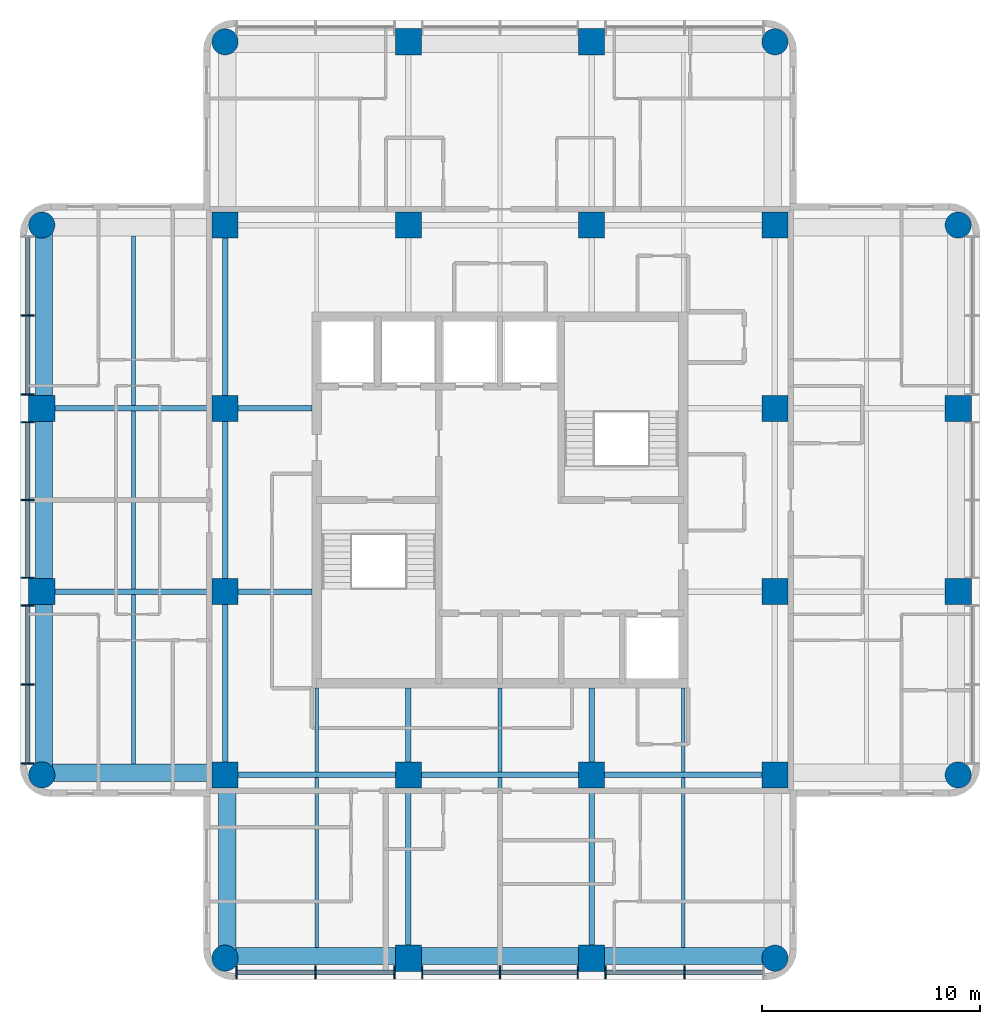
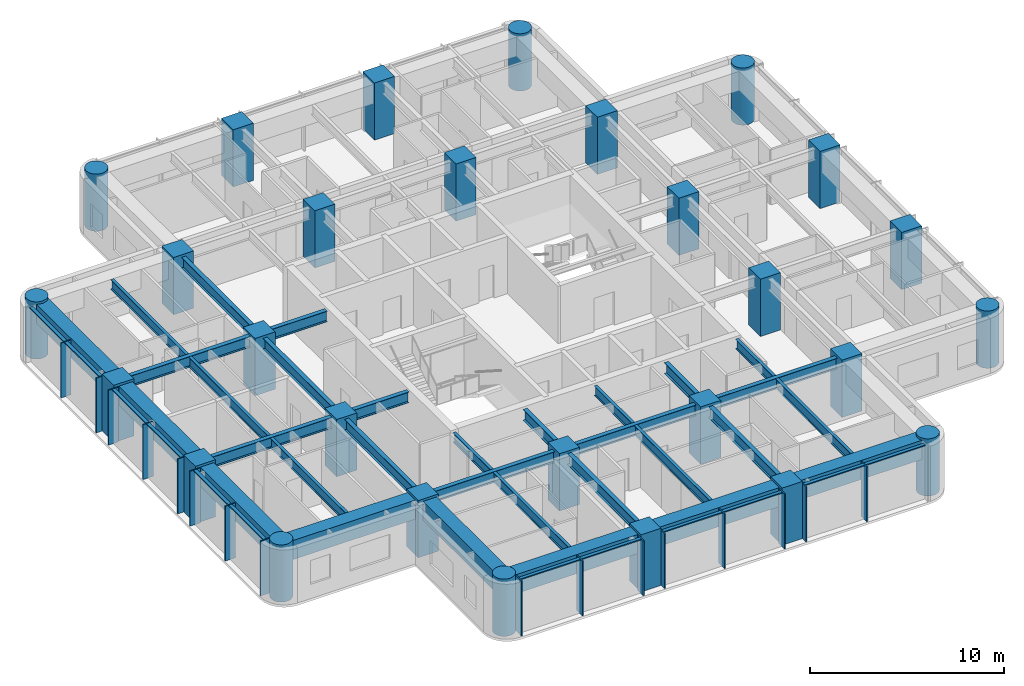
# One storey, part 1 of 9: 31 beams, 28 columns, 28 members, 2 elements without a shape of their own.
"""IFC4 building model written with IfcOpenShell, lengths in metres."""

from ifc_helpers import new_model, si_unit, direction, frame, origin, origin_2d, place, context, subcontext, project, spatial, rectangle, circle, i_section, extrude, material, material_profile, profile_set, type_object, element, aggregate, save


model = new_model("IFC4")

# Units and contexts
model_context = context("Model", 3, precision=1e-05, world=origin(), true_north=direction((0.0, 1.0)))
body_context = subcontext(model_context, "Body", "Model", "MODEL_VIEW")
ifc_project = project(units=[si_unit("LENGTHUNIT", "METRE"), si_unit("AREAUNIT", "SQUARE_METRE"), si_unit("VOLUMEUNIT", "CUBIC_METRE"), si_unit("PLANEANGLEUNIT", "RADIAN"), si_unit("MASSUNIT", "GRAM", prefix="KILO")], contexts=[model_context])

# Site, building, storey
site_placement = place(None, origin())
site = spatial("IfcSite", under=ifc_project, at=site_placement, CompositionType="ELEMENT")
building_placement = place(site_placement, origin())
building = spatial("IfcBuilding", under=site, at=building_placement, Name="Torre Alcanfor", CompositionType="ELEMENT")
storey_placement = place(building_placement, frame((0.0, 0.0, 268.5)))
storey = spatial("IfcBuildingStorey", under=building, at=storey_placement, Name="L70", CompositionType="ELEMENT", Elevation=268.5)

# Columns
ifc_material_1 = material(Name="Concrete f'c 70 MPa", Category="concrete")
ifc_material_profile_1 = material_profile(ifc_material_1, rectangle(XDim=1.199951171875, YDim=1.199951171875, at=origin_2d()), Name="1200x1200")
ifc_profile_set_1 = profile_set([ifc_material_profile_1], Name="Concrete f'c 70 MPa")
column_type_1 = type_object("IfcColumnType", Name="RC column 1200x1200 f'c70", PredefinedType="COLUMN", material=ifc_profile_set_1)
for number, where, z_axis, x_axis, name in (
    (1, (8.39990234375, 25.199951171875, 0.0), (0.0, 0.0, 1.0), (1.0, 0.0, 0.0), "Column 2/F L70"),
    (2, (8.39990234375, 33.60009765625, 0.0), (0.0, 0.0, 1.0), (1.0, 0.0, 0.0), "Column 2/G L70"),
    (3, (16.800048828125, 16.800048828125, 0.0), (0.0, 0.0, 1.0), (1.0, 0.0, 0.0), "Column 3/E L70"),
    (4, (16.800048828125, 25.199951171875, 0.0), (0.0, 0.0, 1.0), (1.0, 0.0, 0.0), "Column 3/F L70"),
    (5, (16.800048828125, 33.60009765625, 0.0), (0.0, 0.0, 1.0), (1.0, 0.0, 0.0), "Column 3/G L70"),
    (6, (16.800048828125, 42.0, 0.0), (0.0, 0.0, 1.0), (1.0, 0.0, 0.0), "Column 3/H L70"),
    (7, (25.199951171875, 8.39990234375, 0.0), (0.0, 0.0, 1.0), (1.0, 0.0, 0.0), "Column 4/D L70"),
    (8, (25.199951171875, 16.800048828125, 0.0), (0.0, 0.0, 1.0), (1.0, 0.0, 0.0), "Column 4/E L70"),
    (9, (25.199951171875, 42.0, 0.0), (0.0, 0.0, 1.0), (1.0, 0.0, 0.0), "Column 4/H L70"),
    (10, (25.199951171875, 50.39990234375, 0.0), (0.0, 0.0, 1.0), (1.0, 0.0, 0.0), "Column 4/J L70"),
    (11, (33.60009765625, 8.39990234375, 0.0), (0.0, 0.0, 1.0), (1.0, 0.0, 0.0), "Column 5/D L70"),
    (12, (33.60009765625, 16.800048828125, 0.0), (0.0, 0.0, 1.0), (1.0, 0.0, 0.0), "Column 5/E L70"),
    (13, (33.60009765625, 42.0, 0.0), (0.0, 0.0, 1.0), (1.0, 0.0, 0.0), "Column 5/H L70"),
    (14, (33.60009765625, 50.39990234375, 0.0), (0.0, 0.0, 1.0), (1.0, 0.0, 0.0), "Column 5/J L70"),
    (15, (42.0, 16.800048828125, 0.0), (0.0, 0.0, 1.0), (1.0, 0.0, 0.0), "Column 6/E L70"),
    (16, (42.0, 25.199951171875, 0.0), (0.0, 0.0, 1.0), (1.0, 0.0, 0.0), "Column 6/F L70"),
    (17, (42.0, 33.60009765625, 0.0), (0.0, 0.0, 1.0), (1.0, 0.0, 0.0), "Column 6/G L70"),
    (18, (42.0, 42.0, 0.0), (0.0, 0.0, 1.0), (1.0, 0.0, 0.0), "Column 6/H L70"),
    (19, (50.39990234375, 25.199951171875, 0.0), (0.0, 0.0, 1.0), (1.0, 0.0, 0.0), "Column 7/F L70"),
    (20, (50.39990234375, 33.60009765625, 0.0), (0.0, 0.0, 1.0), (1.0, 0.0, 0.0), "Column 7/G L70"),
):
    element("IfcColumn", number, at=place(storey_placement, frame(where, z_axis=z_axis, x_axis=x_axis)), inside=storey, type_object=column_type_1, Name=name, PredefinedType="COLUMN", context=body_context, shape_type="SweptSolid", body=[
        extrude(rectangle(XDim=1.199951171875, YDim=1.199951171875, at=origin_2d()), origin(), (0.0, 0.0, 1.0), 3.60009765625),
    ])
ifc_material_2 = material(Name="Concrete f'c 70 MPa", Category="concrete")
ifc_material_profile_2 = material_profile(ifc_material_2, circle(Radius=0.60009765625, at=origin_2d()), Name="D1200")
ifc_profile_set_2 = profile_set([ifc_material_profile_2], Name="Concrete f'c 70 MPa")
column_type_2 = type_object("IfcColumnType", Name="RC column D1200 f'c70", PredefinedType="COLUMN", material=ifc_profile_set_2)
for number, where, z_axis, x_axis, name in (
    (21, (8.39990234375, 16.800048828125, 0.0), (0.0, 0.0, 1.0), (1.0, 0.0, 0.0), "Column 2/E L70"),
    (22, (8.39990234375, 42.0, 0.0), (0.0, 0.0, 1.0), (1.0, 0.0, 0.0), "Column 2/H L70"),
    (23, (16.800048828125, 8.39990234375, 0.0), (0.0, 0.0, 1.0), (1.0, 0.0, 0.0), "Column 3/D L70"),
    (24, (16.800048828125, 50.39990234375, 0.0), (0.0, 0.0, 1.0), (1.0, 0.0, 0.0), "Column 3/J L70"),
    (25, (42.0, 8.39990234375, 0.0), (0.0, 0.0, 1.0), (1.0, 0.0, 0.0), "Column 6/D L70"),
    (26, (42.0, 50.39990234375, 0.0), (0.0, 0.0, 1.0), (1.0, 0.0, 0.0), "Column 6/J L70"),
    (27, (50.39990234375, 16.800048828125, 0.0), (0.0, 0.0, 1.0), (1.0, 0.0, 0.0), "Column 7/E L70"),
    (28, (50.39990234375, 42.0, 0.0), (0.0, 0.0, 1.0), (1.0, 0.0, 0.0), "Column 7/H L70"),
):
    element("IfcColumn", number, at=place(storey_placement, frame(where, z_axis=z_axis, x_axis=x_axis)), inside=storey, type_object=column_type_2, Name=name, PredefinedType="COLUMN", context=body_context, shape_type="SweptSolid", body=[
        extrude(circle(Radius=0.60009765625, at=origin_2d()), origin(), (0.0, 0.0, 1.0), 3.60009765625),
    ])

# Curtain wall, members
ifc_material_3 = material(Name="Aluminium and glass", Category="aluminium")
curtain_wall_type = type_object("IfcCurtainWallType", Name="CW-A unitised apartment glazing with vertical FIN", PredefinedType="NOTDEFINED", material=ifc_material_3)
curtain_wall_1_placement = place(storey_placement, origin())
curtain_wall_1 = element("IfcCurtainWall", 29, at=curtain_wall_1_placement, inside=storey, type_object=curtain_wall_type, Name="Curtain wall CW-A L70 2", PredefinedType="NOTDEFINED")
ifc_material_4 = material(Name="Bronze anodised aluminium", Category="aluminium")
ifc_material_profile_3 = material_profile(ifc_material_4, rectangle(XDim=0.60009765625, YDim=0.06494140625, at=origin_2d()), Name="CW-A mullion 65x600")
ifc_profile_set_3 = profile_set([ifc_material_profile_3], Name="Bronze anodised aluminium")
member_type_1 = type_object("IfcMemberType", Name="CW-A mullion with vertical FIN 65x600", PredefinedType="MULLION", material=ifc_profile_set_3)
member_1_placement = place(storey_placement, frame((7.75, 37.855712890625, 0.0), z_axis=(0.0, 0.0, 1.0), x_axis=(1.0, 0.0, 0.0)))
member_1 = element("IfcMember", 30, at=member_1_placement, type_object=member_type_1, Name="CW-A mullion 1.2", PredefinedType="MULLION", context=body_context, shape_type="SweptSolid", body=[
    extrude(rectangle(XDim=0.60009765625, YDim=0.06494140625, at=origin_2d()), origin(), (0.0, 0.0, 1.0), 3.449951171875),
])
member_2_placement = place(storey_placement, frame((7.75, 34.237548828125, 0.0), z_axis=(0.0, 0.0, 1.0), x_axis=(1.0, 0.0, 0.0)))
member_2 = element("IfcMember", 31, at=member_2_placement, type_object=member_type_1, Name="CW-A mullion 1.3", PredefinedType="MULLION", context=body_context, shape_type="SweptSolid", body=[
    extrude(rectangle(XDim=0.60009765625, YDim=0.06494140625, at=origin_2d()), origin(), (0.0, 0.0, 1.0), 3.449951171875),
])
member_3_placement = place(storey_placement, frame((7.75, 32.96240234375, 0.0), z_axis=(0.0, 0.0, 1.0), x_axis=(1.0, 0.0, 0.0)))
member_3 = element("IfcMember", 32, at=member_3_placement, type_object=member_type_1, Name="CW-A mullion 2.1", PredefinedType="MULLION", context=body_context, shape_type="SweptSolid", body=[
    extrude(rectangle(XDim=0.60009765625, YDim=0.06494140625, at=origin_2d()), origin(), (0.0, 0.0, 1.0), 3.449951171875),
])
member_4_placement = place(storey_placement, frame((7.75, 29.39990234375, 0.0), z_axis=(0.0, 0.0, 1.0), x_axis=(1.0, 0.0, 0.0)))
member_4 = element("IfcMember", 33, at=member_4_placement, type_object=member_type_1, Name="CW-A mullion 2.2", PredefinedType="MULLION", context=body_context, shape_type="SweptSolid", body=[
    extrude(rectangle(XDim=0.60009765625, YDim=0.06494140625, at=origin_2d()), origin(), (0.0, 0.0, 1.0), 3.449951171875),
])
member_5_placement = place(storey_placement, frame((7.75, 25.83740234375, 0.0), z_axis=(0.0, 0.0, 1.0), x_axis=(1.0, 0.0, 0.0)))
member_5 = element("IfcMember", 34, at=member_5_placement, type_object=member_type_1, Name="CW-A mullion 2.3", PredefinedType="MULLION", context=body_context, shape_type="SweptSolid", body=[
    extrude(rectangle(XDim=0.60009765625, YDim=0.06494140625, at=origin_2d()), origin(), (0.0, 0.0, 1.0), 3.449951171875),
])
member_6_placement = place(storey_placement, frame((7.75, 24.5625, 0.0), z_axis=(0.0, 0.0, 1.0), x_axis=(1.0, 0.0, 0.0)))
member_6 = element("IfcMember", 35, at=member_6_placement, type_object=member_type_1, Name="CW-A mullion 3.1", PredefinedType="MULLION", context=body_context, shape_type="SweptSolid", body=[
    extrude(rectangle(XDim=0.60009765625, YDim=0.06494140625, at=origin_2d()), origin(), (0.0, 0.0, 1.0), 3.449951171875),
])
member_7_placement = place(storey_placement, frame((7.75, 20.9443359375, 0.0), z_axis=(0.0, 0.0, 1.0), x_axis=(1.0, 0.0, 0.0)))
member_7 = element("IfcMember", 36, at=member_7_placement, type_object=member_type_1, Name="CW-A mullion 3.2", PredefinedType="MULLION", context=body_context, shape_type="SweptSolid", body=[
    extrude(rectangle(XDim=0.60009765625, YDim=0.06494140625, at=origin_2d()), origin(), (0.0, 0.0, 1.0), 3.449951171875),
])
member_8_placement = place(storey_placement, frame((7.75, 17.325927734375, 0.0), z_axis=(0.0, 0.0, 1.0), x_axis=(1.0, 0.0, 0.0)))
member_8 = element("IfcMember", 37, at=member_8_placement, type_object=member_type_1, Name="CW-A mullion 3.3", PredefinedType="MULLION", context=body_context, shape_type="SweptSolid", body=[
    extrude(rectangle(XDim=0.60009765625, YDim=0.06494140625, at=origin_2d()), origin(), (0.0, 0.0, 1.0), 3.449951171875),
])

curtain_wall_2_placement = place(storey_placement, origin())
curtain_wall_2 = element("IfcCurtainWall", 38, at=curtain_wall_2_placement, inside=storey, type_object=curtain_wall_type, Name="Curtain wall CW-A L70 5", PredefinedType="NOTDEFINED")
member_9_placement = place(storey_placement, frame((17.325927734375, 7.75, 0.0), z_axis=(0.0, 0.0, 1.0), x_axis=(0.0, 1.0, 0.0)))
member_9 = element("IfcMember", 39, at=member_9_placement, type_object=member_type_1, Name="CW-A mullion 1.1", PredefinedType="MULLION", context=body_context, shape_type="SweptSolid", body=[
    extrude(rectangle(XDim=0.60009765625, YDim=0.06494140625, at=origin_2d()), origin(), (0.0, 0.0, 1.0), 3.449951171875),
])
member_10_placement = place(storey_placement, frame((20.9443359375, 7.75, 0.0), z_axis=(0.0, 0.0, 1.0), x_axis=(0.0, 1.0, 0.0)))
member_10 = element("IfcMember", 40, at=member_10_placement, type_object=member_type_1, Name="CW-A mullion 1.2", PredefinedType="MULLION", context=body_context, shape_type="SweptSolid", body=[
    extrude(rectangle(XDim=0.60009765625, YDim=0.06494140625, at=origin_2d()), origin(), (0.0, 0.0, 1.0), 3.449951171875),
])
member_11_placement = place(storey_placement, frame((24.5625, 7.75, 0.0), z_axis=(0.0, 0.0, 1.0), x_axis=(0.0, 1.0, 0.0)))
member_11 = element("IfcMember", 41, at=member_11_placement, type_object=member_type_1, Name="CW-A mullion 1.3", PredefinedType="MULLION", context=body_context, shape_type="SweptSolid", body=[
    extrude(rectangle(XDim=0.60009765625, YDim=0.06494140625, at=origin_2d()), origin(), (0.0, 0.0, 1.0), 3.449951171875),
])
member_12_placement = place(storey_placement, frame((25.83740234375, 7.75, 0.0), z_axis=(0.0, 0.0, 1.0), x_axis=(0.0, 1.0, 0.0)))
member_12 = element("IfcMember", 42, at=member_12_placement, type_object=member_type_1, Name="CW-A mullion 2.1", PredefinedType="MULLION", context=body_context, shape_type="SweptSolid", body=[
    extrude(rectangle(XDim=0.60009765625, YDim=0.06494140625, at=origin_2d()), origin(), (0.0, 0.0, 1.0), 3.449951171875),
])
member_13_placement = place(storey_placement, frame((29.39990234375, 7.75, 0.0), z_axis=(0.0, 0.0, 1.0), x_axis=(0.0, 1.0, 0.0)))
member_13 = element("IfcMember", 43, at=member_13_placement, type_object=member_type_1, Name="CW-A mullion 2.2", PredefinedType="MULLION", context=body_context, shape_type="SweptSolid", body=[
    extrude(rectangle(XDim=0.60009765625, YDim=0.06494140625, at=origin_2d()), origin(), (0.0, 0.0, 1.0), 3.449951171875),
])
member_14_placement = place(storey_placement, frame((32.96240234375, 7.75, 0.0), z_axis=(0.0, 0.0, 1.0), x_axis=(0.0, 1.0, 0.0)))
member_14 = element("IfcMember", 44, at=member_14_placement, type_object=member_type_1, Name="CW-A mullion 2.3", PredefinedType="MULLION", context=body_context, shape_type="SweptSolid", body=[
    extrude(rectangle(XDim=0.60009765625, YDim=0.06494140625, at=origin_2d()), origin(), (0.0, 0.0, 1.0), 3.449951171875),
])
member_15_placement = place(storey_placement, frame((34.237548828125, 7.75, 0.0), z_axis=(0.0, 0.0, 1.0), x_axis=(0.0, 1.0, 0.0)))
member_15 = element("IfcMember", 45, at=member_15_placement, type_object=member_type_1, Name="CW-A mullion 3.1", PredefinedType="MULLION", context=body_context, shape_type="SweptSolid", body=[
    extrude(rectangle(XDim=0.60009765625, YDim=0.06494140625, at=origin_2d()), origin(), (0.0, 0.0, 1.0), 3.449951171875),
])
member_16_placement = place(storey_placement, frame((37.855712890625, 7.75, 0.0), z_axis=(0.0, 0.0, 1.0), x_axis=(0.0, 1.0, 0.0)))
member_16 = element("IfcMember", 46, at=member_16_placement, type_object=member_type_1, Name="CW-A mullion 3.2", PredefinedType="MULLION", context=body_context, shape_type="SweptSolid", body=[
    extrude(rectangle(XDim=0.60009765625, YDim=0.06494140625, at=origin_2d()), origin(), (0.0, 0.0, 1.0), 3.449951171875),
])

# Member
ifc_material_5 = material(Name="Extruded aluminium", Category="aluminium")
ifc_material_profile_4 = material_profile(ifc_material_5, rectangle(XDim=0.199951171875, YDim=0.06494140625, at=origin_2d()), Name="CW-A transom 200x65")
ifc_profile_set_4 = profile_set([ifc_material_profile_4], Name="Extruded aluminium")
member_type_2 = type_object("IfcMemberType", Name="CW-A transom 65x200", PredefinedType="USERDEFINED", material=ifc_profile_set_4)
member_17_placement = place(storey_placement, frame((7.75, 41.44140625, 3.41748046875), z_axis=(0.0, -1.0, 0.0), x_axis=(1.0, 0.0, 0.0)))
member_17 = element("IfcMember", 47, at=member_17_placement, type_object=member_type_2, Name="CW-A transom 1.1.2", ObjectType="TRANSOM", PredefinedType="USERDEFINED", context=body_context, shape_type="SweptSolid", body=[
    extrude(rectangle(XDim=0.199951171875, YDim=0.06494140625, at=origin_2d()), origin(), (0.0, 0.0, 1.0), 3.55322265625),
])

member_18_placement = place(storey_placement, frame((7.75, 37.8232421875, 3.41748046875), z_axis=(0.0, -1.0, 0.0), x_axis=(1.0, 0.0, 0.0)))
member_18 = element("IfcMember", 48, at=member_18_placement, type_object=member_type_2, Name="CW-A transom 1.2.2", ObjectType="TRANSOM", PredefinedType="USERDEFINED", context=body_context, shape_type="SweptSolid", body=[
    extrude(rectangle(XDim=0.199951171875, YDim=0.06494140625, at=origin_2d()), origin(), (0.0, 0.0, 1.0), 3.55322265625),
])

member_19_placement = place(storey_placement, frame((7.75, 32.929931640625, 3.41748046875), z_axis=(0.0, -1.0, 0.0), x_axis=(1.0, 0.0, 0.0)))
member_19 = element("IfcMember", 49, at=member_19_placement, type_object=member_type_2, Name="CW-A transom 2.1.2", ObjectType="TRANSOM", PredefinedType="USERDEFINED", context=body_context, shape_type="SweptSolid", body=[
    extrude(rectangle(XDim=0.199951171875, YDim=0.06494140625, at=origin_2d()), origin(), (0.0, 0.0, 1.0), 3.497314453125),
])

member_20_placement = place(storey_placement, frame((7.75, 29.367431640625, 3.41748046875), z_axis=(0.0, -1.0, 0.0), x_axis=(1.0, 0.0, 0.0)))
member_20 = element("IfcMember", 50, at=member_20_placement, type_object=member_type_2, Name="CW-A transom 2.2.2", ObjectType="TRANSOM", PredefinedType="USERDEFINED", context=body_context, shape_type="SweptSolid", body=[
    extrude(rectangle(XDim=0.199951171875, YDim=0.06494140625, at=origin_2d()), origin(), (0.0, 0.0, 1.0), 3.497314453125),
])

member_21_placement = place(storey_placement, frame((7.75, 24.530029296875, 3.41748046875), z_axis=(0.0, -1.0, 0.0), x_axis=(1.0, 0.0, 0.0)))
member_21 = element("IfcMember", 51, at=member_21_placement, type_object=member_type_2, Name="CW-A transom 3.1.2", ObjectType="TRANSOM", PredefinedType="USERDEFINED", context=body_context, shape_type="SweptSolid", body=[
    extrude(rectangle(XDim=0.199951171875, YDim=0.06494140625, at=origin_2d()), origin(), (0.0, 0.0, 1.0), 3.55322265625),
])

member_22_placement = place(storey_placement, frame((7.75, 20.911865234375, 3.41748046875), z_axis=(0.0, -1.0, 0.0), x_axis=(1.0, 0.0, 0.0)))
member_22 = element("IfcMember", 52, at=member_22_placement, type_object=member_type_2, Name="CW-A transom 3.2.2", ObjectType="TRANSOM", PredefinedType="USERDEFINED", context=body_context, shape_type="SweptSolid", body=[
    extrude(rectangle(XDim=0.199951171875, YDim=0.06494140625, at=origin_2d()), origin(), (0.0, 0.0, 1.0), 3.553466796875),
])

aggregate(curtain_wall_1, [member_1, member_2, member_17, member_18, member_3, member_4, member_5, member_19, member_20, member_6, member_7, member_8, member_21, member_22])

member_23_placement = place(storey_placement, frame((17.3583984375, 7.75, 3.41748046875), z_axis=(1.0, 0.0, 0.0), x_axis=(0.0, 1.0, 0.0)))
member_23 = element("IfcMember", 53, at=member_23_placement, type_object=member_type_2, Name="CW-A transom 1.1.2", ObjectType="TRANSOM", PredefinedType="USERDEFINED", context=body_context, shape_type="SweptSolid", body=[
    extrude(rectangle(XDim=0.199951171875, YDim=0.06494140625, at=origin_2d()), origin(), (0.0, 0.0, 1.0), 3.553466796875),
])

member_24_placement = place(storey_placement, frame((20.976806640625, 7.75, 3.41748046875), z_axis=(1.0, 0.0, 0.0), x_axis=(0.0, 1.0, 0.0)))
member_24 = element("IfcMember", 54, at=member_24_placement, type_object=member_type_2, Name="CW-A transom 1.2.2", ObjectType="TRANSOM", PredefinedType="USERDEFINED", context=body_context, shape_type="SweptSolid", body=[
    extrude(rectangle(XDim=0.199951171875, YDim=0.06494140625, at=origin_2d()), origin(), (0.0, 0.0, 1.0), 3.55322265625),
])

member_25_placement = place(storey_placement, frame((25.8701171875, 7.75, 3.41748046875), z_axis=(1.0, 0.0, 0.0), x_axis=(0.0, 1.0, 0.0)))
member_25 = element("IfcMember", 55, at=member_25_placement, type_object=member_type_2, Name="CW-A transom 2.1.2", ObjectType="TRANSOM", PredefinedType="USERDEFINED", context=body_context, shape_type="SweptSolid", body=[
    extrude(rectangle(XDim=0.199951171875, YDim=0.06494140625, at=origin_2d()), origin(), (0.0, 0.0, 1.0), 3.497314453125),
])

member_26_placement = place(storey_placement, frame((29.4326171875, 7.75, 3.41748046875), z_axis=(1.0, 0.0, 0.0), x_axis=(0.0, 1.0, 0.0)))
member_26 = element("IfcMember", 56, at=member_26_placement, type_object=member_type_2, Name="CW-A transom 2.2.2", ObjectType="TRANSOM", PredefinedType="USERDEFINED", context=body_context, shape_type="SweptSolid", body=[
    extrude(rectangle(XDim=0.199951171875, YDim=0.06494140625, at=origin_2d()), origin(), (0.0, 0.0, 1.0), 3.497314453125),
])

member_27_placement = place(storey_placement, frame((34.27001953125, 7.75, 3.41748046875), z_axis=(1.0, 0.0, 0.0), x_axis=(0.0, 1.0, 0.0)))
member_27 = element("IfcMember", 57, at=member_27_placement, type_object=member_type_2, Name="CW-A transom 3.1.2", ObjectType="TRANSOM", PredefinedType="USERDEFINED", context=body_context, shape_type="SweptSolid", body=[
    extrude(rectangle(XDim=0.199951171875, YDim=0.06494140625, at=origin_2d()), origin(), (0.0, 0.0, 1.0), 3.55322265625),
])

member_28_placement = place(storey_placement, frame((37.88818359375, 7.75, 3.41748046875), z_axis=(1.0, 0.0, 0.0), x_axis=(0.0, 1.0, 0.0)))
member_28 = element("IfcMember", 58, at=member_28_placement, type_object=member_type_2, Name="CW-A transom 3.2.2", ObjectType="TRANSOM", PredefinedType="USERDEFINED", context=body_context, shape_type="SweptSolid", body=[
    extrude(rectangle(XDim=0.199951171875, YDim=0.06494140625, at=origin_2d()), origin(), (0.0, 0.0, 1.0), 3.55322265625),
])

aggregate(curtain_wall_2, [member_9, member_10, member_11, member_23, member_24, member_12, member_13, member_14, member_25, member_26, member_15, member_16, member_27, member_28])

# Beams
ifc_material_6 = material(Name="Steel ASTM A992 Grade 50", Category="steel")
ifc_material_profile_5 = material_profile(ifc_material_6, i_section(OverallWidth=0.25390625, OverallDepth=0.683349609375, WebThickness=0.012451171875, FlangeThickness=0.01904296875, at=origin_2d()), Name="W27x94")
ifc_profile_set_5 = profile_set([ifc_material_profile_5], Name="Steel ASTM A992 Grade 50")
beam_type_1 = type_object("IfcBeamType", Name="Girder W27x94", PredefinedType="BEAM", material=ifc_profile_set_5)
beam_1_placement = place(storey_placement, frame((16.800048828125, 16.800048828125, 3.1083984375), z_axis=(1.0, 0.0, 0.0), x_axis=(0.0, 1.0, 0.0)))
element("IfcBeam", 59, at=beam_1_placement, inside=storey, type_object=beam_type_1, Name="Beam 3E-4E under L71", PredefinedType="BEAM", context=body_context, shape_type="SweptSolid", body=[
    extrude(i_section(OverallWidth=0.25390625, OverallDepth=0.683349609375, WebThickness=0.012451171875, FlangeThickness=0.01904296875, at=origin_2d()), origin(), (0.0, 0.0, 1.0), 8.39990234375),
])
beam_2_placement = place(storey_placement, frame((25.199951171875, 16.800048828125, 3.1083984375), z_axis=(1.0, 0.0, 0.0), x_axis=(0.0, 1.0, 0.0)))
element("IfcBeam", 60, at=beam_2_placement, inside=storey, type_object=beam_type_1, Name="Beam 4E-5E under L71", PredefinedType="BEAM", context=body_context, shape_type="SweptSolid", body=[
    extrude(i_section(OverallWidth=0.25390625, OverallDepth=0.683349609375, WebThickness=0.012451171875, FlangeThickness=0.01904296875, at=origin_2d()), origin(), (0.0, 0.0, 1.0), 8.400146484375),
])
beam_3_placement = place(storey_placement, frame((33.60009765625, 16.800048828125, 3.1083984375), z_axis=(1.0, 0.0, 0.0), x_axis=(0.0, 1.0, 0.0)))
element("IfcBeam", 61, at=beam_3_placement, inside=storey, type_object=beam_type_1, Name="Beam 5E-6E under L71", PredefinedType="BEAM", context=body_context, shape_type="SweptSolid", body=[
    extrude(i_section(OverallWidth=0.25390625, OverallDepth=0.683349609375, WebThickness=0.012451171875, FlangeThickness=0.01904296875, at=origin_2d()), origin(), (0.0, 0.0, 1.0), 8.39990234375),
])
for number, where, z_axis, x_axis, name in (
    (62, (8.39990234375, 25.199951171875, 3.1083984375), (1.0, 0.0, 0.0), (0.0, 1.0, 0.0), "Beam 2F-3F under L71"),
    (63, (8.39990234375, 33.60009765625, 3.1083984375), (1.0, 0.0, 0.0), (0.0, 1.0, 0.0), "Beam 2G-3G under L71"),
):
    element("IfcBeam", number, at=place(storey_placement, frame(where, z_axis=z_axis, x_axis=x_axis)), inside=storey, type_object=beam_type_1, Name=name, PredefinedType="BEAM", context=body_context, shape_type="SweptSolid", body=[
        extrude(i_section(OverallWidth=0.25390625, OverallDepth=0.683349609375, WebThickness=0.012451171875, FlangeThickness=0.01904296875, at=origin_2d()), origin(), (0.0, 0.0, 1.0), 8.400146484375),
    ])
beam_4_placement = place(storey_placement, frame((16.800048828125, 16.800048828125, 3.1083984375), z_axis=(0.0, 1.0, 0.0), x_axis=(-1.0, 0.0, 0.0)))
element("IfcBeam", 64, at=beam_4_placement, inside=storey, type_object=beam_type_1, Name="Beam 3E-3F under L71", PredefinedType="BEAM", context=body_context, shape_type="SweptSolid", body=[
    extrude(i_section(OverallWidth=0.25390625, OverallDepth=0.683349609375, WebThickness=0.012451171875, FlangeThickness=0.01904296875, at=origin_2d()), origin(), (0.0, 0.0, 1.0), 8.39990234375),
])
beam_5_placement = place(storey_placement, frame((16.800048828125, 25.199951171875, 3.1083984375), z_axis=(0.0, 1.0, 0.0), x_axis=(-1.0, 0.0, 0.0)))
element("IfcBeam", 65, at=beam_5_placement, inside=storey, type_object=beam_type_1, Name="Beam 3F-3G under L71", PredefinedType="BEAM", context=body_context, shape_type="SweptSolid", body=[
    extrude(i_section(OverallWidth=0.25390625, OverallDepth=0.683349609375, WebThickness=0.012451171875, FlangeThickness=0.01904296875, at=origin_2d()), origin(), (0.0, 0.0, 1.0), 8.400146484375),
])
beam_6_placement = place(storey_placement, frame((16.800048828125, 33.60009765625, 3.1083984375), z_axis=(0.0, 1.0, 0.0), x_axis=(-1.0, 0.0, 0.0)))
element("IfcBeam", 66, at=beam_6_placement, inside=storey, type_object=beam_type_1, Name="Beam 3G-3H under L71", PredefinedType="BEAM", context=body_context, shape_type="SweptSolid", body=[
    extrude(i_section(OverallWidth=0.25390625, OverallDepth=0.683349609375, WebThickness=0.012451171875, FlangeThickness=0.01904296875, at=origin_2d()), origin(), (0.0, 0.0, 1.0), 8.39990234375),
])
for number, where, z_axis, x_axis, name in (
    (67, (25.199951171875, 8.39990234375, 3.1083984375), (0.0, 1.0, 0.0), (-1.0, 0.0, 0.0), "Beam 4D-4E under L71"),
    (68, (33.60009765625, 8.39990234375, 3.1083984375), (0.0, 1.0, 0.0), (-1.0, 0.0, 0.0), "Beam 5D-5E under L71"),
):
    element("IfcBeam", number, at=place(storey_placement, frame(where, z_axis=z_axis, x_axis=x_axis)), inside=storey, type_object=beam_type_1, Name=name, PredefinedType="BEAM", context=body_context, shape_type="SweptSolid", body=[
        extrude(i_section(OverallWidth=0.25390625, OverallDepth=0.683349609375, WebThickness=0.012451171875, FlangeThickness=0.01904296875, at=origin_2d()), origin(), (0.0, 0.0, 1.0), 8.400146484375),
    ])
ifc_material_7 = material(Name="Steel ASTM A992 Grade 50", Category="steel")
ifc_material_profile_6 = material_profile(ifc_material_7, i_section(OverallWidth=0.25390625, OverallDepth=0.683349609375, WebThickness=0.012451171875, FlangeThickness=0.01904296875, at=origin_2d()), Name="W27x94")
ifc_profile_set_6 = profile_set([ifc_material_profile_6], Name="Steel ASTM A992 Grade 50")
beam_type_2 = type_object("IfcBeamType", Name="Girder, part bay W27x94", PredefinedType="BEAM", material=ifc_profile_set_6)
for number, where, z_axis, x_axis, name in (
    (69, (25.199951171875, 16.800048828125, 3.1083984375), (0.0, 1.0, 0.0), (-1.0, 0.0, 0.0), "Beam 4E-420_775 under L71"),
    (70, (33.60009765625, 16.800048828125, 3.1083984375), (0.0, 1.0, 0.0), (-1.0, 0.0, 0.0), "Beam 5E-520_775 under L71"),
    (71, (16.800048828125, 25.199951171875, 3.1083984375), (1.0, 0.0, 0.0), (0.0, 1.0, 0.0), "Beam 3F-20_775F under L71"),
    (72, (16.800048828125, 33.60009765625, 3.1083984375), (1.0, 0.0, 0.0), (0.0, 1.0, 0.0), "Beam 3G-20_775G under L71"),
):
    element("IfcBeam", number, at=place(storey_placement, frame(where, z_axis=z_axis, x_axis=x_axis)), inside=storey, type_object=beam_type_2, Name=name, PredefinedType="BEAM", context=body_context, shape_type="SweptSolid", body=[
        extrude(i_section(OverallWidth=0.25390625, OverallDepth=0.683349609375, WebThickness=0.012451171875, FlangeThickness=0.01904296875, at=origin_2d()), origin(), (0.0, 0.0, 1.0), 3.974853515625),
    ])
ifc_material_8 = material(Name="Concrete f'c 70 MPa", Category="concrete")
ifc_material_profile_7 = material_profile(ifc_material_8, rectangle(XDim=0.800048828125, YDim=1.199951171875, at=origin_2d()), Name="800x1200")
ifc_profile_set_7 = profile_set([ifc_material_profile_7], Name="Concrete f'c 70 MPa")
beam_type_3 = type_object("IfcBeamType", Name="RC perimeter beam 800x1200", PredefinedType="BEAM", material=ifc_profile_set_7)
beam_7_placement = place(storey_placement, frame((16.800048828125, 8.5, 2.85009765625), z_axis=(1.0, 0.0, 0.0), x_axis=(0.0, 1.0, 0.0)))
element("IfcBeam", 73, at=beam_7_placement, inside=storey, type_object=beam_type_3, Name="Beam 3D-4D under L71", PredefinedType="BEAM", context=body_context, shape_type="SweptSolid", body=[
    extrude(rectangle(XDim=0.800048828125, YDim=1.199951171875, at=origin_2d()), origin(), (0.0, 0.0, 1.0), 8.27294921875),
])
beam_8_placement = place(storey_placement, frame((25.326904296875, 8.5, 2.85009765625), z_axis=(1.0, 0.0, 0.0), x_axis=(0.0, 1.0, 0.0)))
element("IfcBeam", 74, at=beam_8_placement, inside=storey, type_object=beam_type_3, Name="Beam 4D-5D under L71", PredefinedType="BEAM", context=body_context, shape_type="SweptSolid", body=[
    extrude(rectangle(XDim=0.800048828125, YDim=1.199951171875, at=origin_2d()), origin(), (0.0, 0.0, 1.0), 8.14599609375),
])
beam_9_placement = place(storey_placement, frame((33.72705078125, 8.5, 2.85009765625), z_axis=(1.0, 0.0, 0.0), x_axis=(0.0, 1.0, 0.0)))
element("IfcBeam", 75, at=beam_9_placement, inside=storey, type_object=beam_type_3, Name="Beam 5D-6D under L71", PredefinedType="BEAM", context=body_context, shape_type="SweptSolid", body=[
    extrude(rectangle(XDim=0.800048828125, YDim=1.199951171875, at=origin_2d()), origin(), (0.0, 0.0, 1.0), 8.27294921875),
])
beam_10_placement = place(storey_placement, frame((8.39990234375, 16.89990234375, 2.85009765625), z_axis=(1.0, 0.0, 0.0), x_axis=(0.0, 1.0, 0.0)))
element("IfcBeam", 76, at=beam_10_placement, inside=storey, type_object=beam_type_3, Name="Beam 2E-3E under L71", PredefinedType="BEAM", context=body_context, shape_type="SweptSolid", body=[
    extrude(rectangle(XDim=0.800048828125, YDim=1.199951171875, at=origin_2d()), origin(), (0.0, 0.0, 1.0), 8.273193359375),
])
beam_11_placement = place(storey_placement, frame((8.5, 16.800048828125, 2.85009765625), z_axis=(0.0, 1.0, 0.0), x_axis=(-1.0, 0.0, 0.0)))
element("IfcBeam", 77, at=beam_11_placement, inside=storey, type_object=beam_type_3, Name="Beam 2E-2F under L71", PredefinedType="BEAM", context=body_context, shape_type="SweptSolid", body=[
    extrude(rectangle(XDim=0.800048828125, YDim=1.199951171875, at=origin_2d()), origin(), (0.0, 0.0, 1.0), 8.27294921875),
])
beam_12_placement = place(storey_placement, frame((8.5, 25.326904296875, 2.85009765625), z_axis=(0.0, 1.0, 0.0), x_axis=(-1.0, 0.0, 0.0)))
element("IfcBeam", 78, at=beam_12_placement, inside=storey, type_object=beam_type_3, Name="Beam 2F-2G under L71", PredefinedType="BEAM", context=body_context, shape_type="SweptSolid", body=[
    extrude(rectangle(XDim=0.800048828125, YDim=1.199951171875, at=origin_2d()), origin(), (0.0, 0.0, 1.0), 8.14599609375),
])
beam_13_placement = place(storey_placement, frame((8.5, 33.72705078125, 2.85009765625), z_axis=(0.0, 1.0, 0.0), x_axis=(-1.0, 0.0, 0.0)))
element("IfcBeam", 79, at=beam_13_placement, inside=storey, type_object=beam_type_3, Name="Beam 2G-2H under L71", PredefinedType="BEAM", context=body_context, shape_type="SweptSolid", body=[
    extrude(rectangle(XDim=0.800048828125, YDim=1.199951171875, at=origin_2d()), origin(), (0.0, 0.0, 1.0), 8.27294921875),
])
beam_14_placement = place(storey_placement, frame((16.89990234375, 8.39990234375, 2.85009765625), z_axis=(0.0, 1.0, 0.0), x_axis=(-1.0, 0.0, 0.0)))
element("IfcBeam", 80, at=beam_14_placement, inside=storey, type_object=beam_type_3, Name="Beam 3D-3E under L71", PredefinedType="BEAM", context=body_context, shape_type="SweptSolid", body=[
    extrude(rectangle(XDim=0.800048828125, YDim=1.199951171875, at=origin_2d()), origin(), (0.0, 0.0, 1.0), 8.273193359375),
])
ifc_material_9 = material(Name="Steel ASTM A992 Grade 50", Category="steel")
ifc_material_profile_8 = material_profile(ifc_material_9, i_section(OverallWidth=0.1787109375, OverallDepth=0.60205078125, WebThickness=0.010986328125, FlangeThickness=0.014892578125, at=origin_2d()), Name="W24x62")
ifc_profile_set_8 = profile_set([ifc_material_profile_8], Name="Steel ASTM A992 Grade 50")
beam_type_4 = type_object("IfcBeamType", Name="Secondary beam W24x62", PredefinedType="BEAM", material=ifc_profile_set_8)
beam_15_placement = place(storey_placement, frame((12.60009765625, 17.300048828125, 3.14892578125), z_axis=(0.0, 1.0, 0.0), x_axis=(-1.0, 0.0, 0.0)))
element("IfcBeam", 81, at=beam_15_placement, inside=storey, type_object=beam_type_4, Name="Beam 12_6E-12_6F under L71", PredefinedType="BEAM", context=body_context, shape_type="SweptSolid", body=[
    extrude(i_section(OverallWidth=0.1787109375, OverallDepth=0.60205078125, WebThickness=0.010986328125, FlangeThickness=0.014892578125, at=origin_2d()), origin(), (0.0, 0.0, 1.0), 7.77294921875),
])
beam_16_placement = place(storey_placement, frame((12.60009765625, 25.326904296875, 3.14892578125), z_axis=(0.0, 1.0, 0.0), x_axis=(-1.0, 0.0, 0.0)))
element("IfcBeam", 82, at=beam_16_placement, inside=storey, type_object=beam_type_4, Name="Beam 12_6F-12_6G under L71", PredefinedType="BEAM", context=body_context, shape_type="SweptSolid", body=[
    extrude(i_section(OverallWidth=0.1787109375, OverallDepth=0.60205078125, WebThickness=0.010986328125, FlangeThickness=0.014892578125, at=origin_2d()), origin(), (0.0, 0.0, 1.0), 8.14599609375),
])
beam_17_placement = place(storey_placement, frame((12.60009765625, 33.72705078125, 3.14892578125), z_axis=(0.0, 1.0, 0.0), x_axis=(-1.0, 0.0, 0.0)))
element("IfcBeam", 83, at=beam_17_placement, inside=storey, type_object=beam_type_4, Name="Beam 12_6G-12_6H under L71", PredefinedType="BEAM", context=body_context, shape_type="SweptSolid", body=[
    extrude(i_section(OverallWidth=0.1787109375, OverallDepth=0.60205078125, WebThickness=0.010986328125, FlangeThickness=0.014892578125, at=origin_2d()), origin(), (0.0, 0.0, 1.0), 7.77294921875),
])
for number, where, z_axis, x_axis, name in (
    (84, (21.0, 8.89990234375, 3.14892578125), (0.0, 1.0, 0.0), (-1.0, 0.0, 0.0), "Beam 21D-21E under L71"),
    (85, (29.39990234375, 8.89990234375, 3.14892578125), (0.0, 1.0, 0.0), (-1.0, 0.0, 0.0), "Beam 29_4D-29_4E under L71"),
    (86, (37.800048828125, 8.89990234375, 3.14892578125), (0.0, 1.0, 0.0), (-1.0, 0.0, 0.0), "Beam 37_8D-37_8E under L71"),
):
    element("IfcBeam", number, at=place(storey_placement, frame(where, z_axis=z_axis, x_axis=x_axis)), inside=storey, type_object=beam_type_4, Name=name, PredefinedType="BEAM", context=body_context, shape_type="SweptSolid", body=[
        extrude(i_section(OverallWidth=0.1787109375, OverallDepth=0.60205078125, WebThickness=0.010986328125, FlangeThickness=0.014892578125, at=origin_2d()), origin(), (0.0, 0.0, 1.0), 7.773193359375),
    ])
ifc_material_10 = material(Name="Steel ASTM A992 Grade 50", Category="steel")
ifc_material_profile_9 = material_profile(ifc_material_10, i_section(OverallWidth=0.1787109375, OverallDepth=0.60205078125, WebThickness=0.010986328125, FlangeThickness=0.014892578125, at=origin_2d()), Name="W24x62")
ifc_profile_set_9 = profile_set([ifc_material_profile_9], Name="Steel ASTM A992 Grade 50")
beam_type_5 = type_object("IfcBeamType", Name="Secondary beam, part bay W24x62", PredefinedType="BEAM", material=ifc_profile_set_9)
for number, where, z_axis, x_axis, name in (
    (87, (21.0, 16.927001953125, 3.14892578125), (0.0, 1.0, 0.0), (-1.0, 0.0, 0.0), "Beam 21E-2120_775 under L71"),
    (88, (29.39990234375, 16.927001953125, 3.14892578125), (0.0, 1.0, 0.0), (-1.0, 0.0, 0.0), "Beam 29_4E-29_420_775 under L71"),
    (89, (37.800048828125, 16.927001953125, 3.14892578125), (0.0, 1.0, 0.0), (-1.0, 0.0, 0.0), "Beam 37_8E-37_820_775 under L71"),
):
    element("IfcBeam", number, at=place(storey_placement, frame(where, z_axis=z_axis, x_axis=x_axis)), inside=storey, type_object=beam_type_5, Name=name, PredefinedType="BEAM", context=body_context, shape_type="SweptSolid", body=[
        extrude(i_section(OverallWidth=0.1787109375, OverallDepth=0.60205078125, WebThickness=0.010986328125, FlangeThickness=0.014892578125, at=origin_2d()), origin(), (0.0, 0.0, 1.0), 3.847900390625),
    ])

save(model, "model.ifc")
